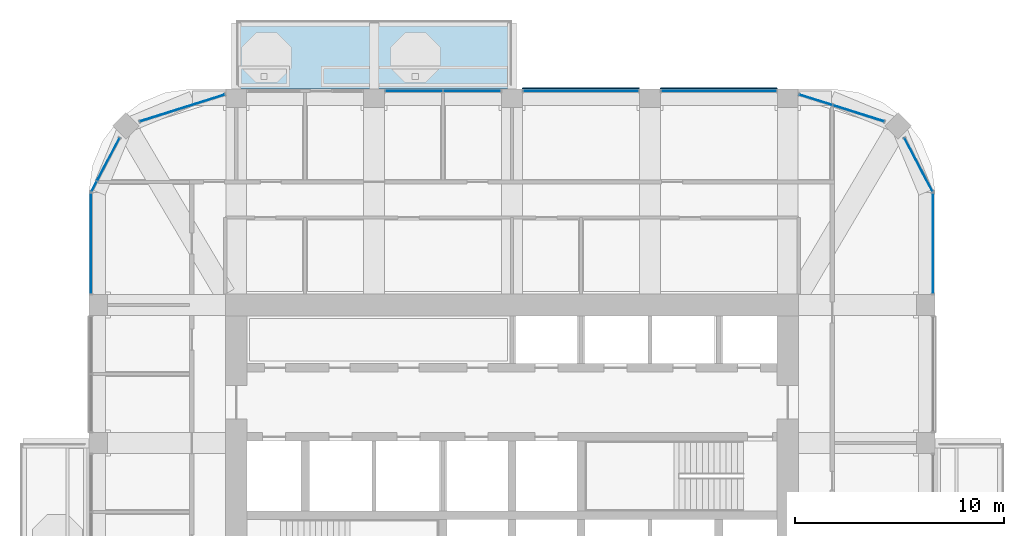
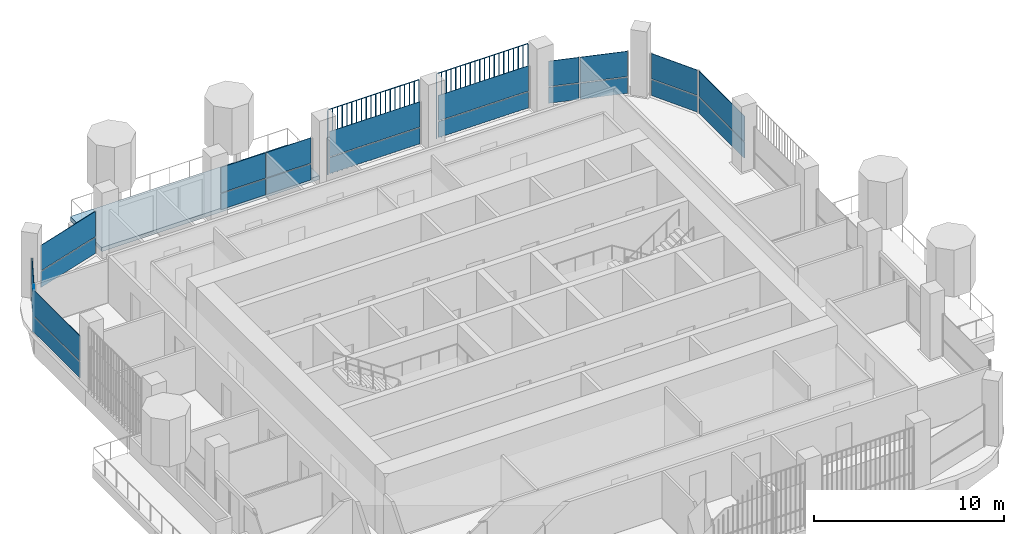
# One storey, part 10 of 18: 26 plates, 1 slab, 9 elements without a shape of their own.
"""IFC4 building model written with IfcOpenShell, lengths in metres."""

from ifc_helpers import new_model, si_unit, direction, frame, origin, origin_2d, place, context, subcontext, project, spatial, polyline, rectangle, outline, extrude, material, layer, layer_set, type_object, element, aggregate, save


model = new_model("IFC4")

# Units and contexts
model_context = context("Model", 3, precision=1e-05, world=origin(), true_north=direction((0.0, 1.0)))
body_context = subcontext(model_context, "Body", "Model", "MODEL_VIEW")
ifc_project = project(units=[si_unit("LENGTHUNIT", "METRE"), si_unit("AREAUNIT", "SQUARE_METRE"), si_unit("VOLUMEUNIT", "CUBIC_METRE"), si_unit("PLANEANGLEUNIT", "RADIAN"), si_unit("MASSUNIT", "GRAM", prefix="KILO")], contexts=[model_context])

# Site, building, storey
site_placement = place(None, origin())
site = spatial("IfcSite", under=ifc_project, at=site_placement, CompositionType="ELEMENT")
building_placement = place(site_placement, origin())
building = spatial("IfcBuilding", under=site, at=building_placement, Name="Cobogo Forest Laboratory Tower", CompositionType="ELEMENT")
storey_placement = place(building_placement, frame((0.0, 0.0, 271.199951171875)))
storey = spatial("IfcBuildingStorey", under=building, at=storey_placement, Name="L62", CompositionType="ELEMENT", Elevation=271.199951171875)

# Slab
ifc_material_1 = material(Name="Concrete HA-40 (C40/50)", Category="concrete")
ifc_layer_1 = layer(ifc_material_1, 0.25)
ifc_layer_set_1 = layer_set([ifc_layer_1], Name="Balcony slab 250")
slab_type = type_object("IfcSlabType", Name="Balcony slab 250", PredefinedType="FLOOR", material=ifc_layer_set_1)
slab_placement = place(storey_placement, frame((0.0, 0.0, -0.25)))
element("IfcSlab", 1, at=slab_placement, inside=storey, type_object=slab_type, Name="Balcony BAL-N1 L62", PredefinedType="FLOOR", context=body_context, shape_type="SweptSolid", body=[
    extrude(outline(polyline([(13.199951171875, 43.35009765625), (26.39990234375, 43.35009765625), (26.39990234375, 46.64990234375), (13.199951171875, 46.64990234375), (13.199951171875, 43.35009765625)])), origin(), (0.0, 0.0, 1.0), 0.25),
])

# Curtain wall, plates
ifc_material_2 = material(Name="Aluminium curtain wall", Category="aluminium")
curtain_wall_type = type_object("IfcCurtainWallType", Name="CW-2 unitised curtain wall, solar control glazing, laboratory floors zones C and D", PredefinedType="USERDEFINED", material=ifc_material_2)
curtain_wall_1_placement = place(storey_placement, origin())
curtain_wall_1 = element("IfcCurtainWall", 2, at=curtain_wall_1_placement, inside=storey, type_object=curtain_wall_type, Name="Curtain wall 11 L62", ObjectType="UNITISED CURTAIN WALL", PredefinedType="USERDEFINED")
ifc_material_3 = material(Name="Solar control insulated glass", Category="glass")
ifc_layer_2 = layer(ifc_material_3, 0.031982421875)
ifc_layer_set_2 = layer_set([ifc_layer_2], Name="GP-2 solar control glass unit 32")
plate_type_1 = type_object("IfcPlateType", Name="GP-2 solar control glass unit 32", PredefinedType="CURTAIN_PANEL", material=ifc_layer_set_2)
plate_1_placement = place(storey_placement, frame((46.550048828125, 35.949951171875, 0.0), z_axis=(0.0, 0.0, 1.0), x_axis=(0.0, 1.0, 0.0)))
plate_1 = element("IfcPlate", 3, at=plate_1_placement, type_object=plate_type_1, Name="CW-2 panel 1.1", PredefinedType="CURTAIN_PANEL", context=body_context, shape_type="SweptSolid", body=[
    extrude(rectangle(XDim=4.780029296875, YDim=0.031982421875, at=origin_2d()), origin(), (0.0, 0.0, 1.0), 1.02001953125),
])
plate_2_placement = place(storey_placement, frame((46.550048828125, 35.949951171875, 1.080078125), z_axis=(0.0, 0.0, 1.0), x_axis=(0.0, 1.0, 0.0)))
plate_2 = element("IfcPlate", 4, at=plate_2_placement, type_object=plate_type_1, Name="CW-2 panel 1.2", PredefinedType="CURTAIN_PANEL", context=body_context, shape_type="SweptSolid", body=[
    extrude(rectangle(XDim=4.780029296875, YDim=0.031982421875, at=origin_2d()), origin(), (0.0, 0.0, 1.0), 1.6201171875),
])
aggregate(curtain_wall_1, [plate_1, plate_2])

curtain_wall_2_placement = place(storey_placement, origin())
curtain_wall_2 = element("IfcCurtainWall", 5, at=curtain_wall_2_placement, inside=storey, type_object=curtain_wall_type, Name="Curtain wall 12 L62", ObjectType="UNITISED CURTAIN WALL", PredefinedType="USERDEFINED")
plate_3_placement = place(storey_placement, frame((45.85693359375, 39.721923828125, 0.0), z_axis=(0.0, 0.0, 1.0), x_axis=(-0.464283778337, 0.885686498245, 0.0)))
plate_3 = element("IfcPlate", 6, at=plate_3_placement, type_object=plate_type_1, Name="CW-2 panel 1.1", PredefinedType="CURTAIN_PANEL", context=body_context, shape_type="SweptSolid", body=[
    extrude(rectangle(XDim=2.864990234375, YDim=0.031982421875, at=origin_2d()), origin(), (0.0, 0.0, 1.0), 1.02001953125),
])
plate_4_placement = place(storey_placement, frame((45.85693359375, 39.721923828125, 1.080078125), z_axis=(0.0, 0.0, 1.0), x_axis=(-0.464283778337, 0.885686498245, 0.0)))
plate_4 = element("IfcPlate", 7, at=plate_4_placement, type_object=plate_type_1, Name="CW-2 panel 1.2", PredefinedType="CURTAIN_PANEL", context=body_context, shape_type="SweptSolid", body=[
    extrude(rectangle(XDim=2.864990234375, YDim=0.031982421875, at=origin_2d()), origin(), (0.0, 0.0, 1.0), 1.6201171875),
])
aggregate(curtain_wall_2, [plate_3, plate_4])

curtain_wall_3_placement = place(storey_placement, origin())
curtain_wall_3 = element("IfcCurtainWall", 8, at=curtain_wall_3_placement, inside=storey, type_object=curtain_wall_type, Name="Curtain wall 13 L62", ObjectType="UNITISED CURTAIN WALL", PredefinedType="USERDEFINED")
plate_5_placement = place(storey_placement, frame((42.989501953125, 42.1796875, 0.0), z_axis=(0.0, 0.0, 1.0), x_axis=(-0.953581379409, 0.301135439371, 0.0)))
plate_5 = element("IfcPlate", 9, at=plate_5_placement, type_object=plate_type_1, Name="CW-2 panel 1.1", PredefinedType="CURTAIN_PANEL", context=body_context, shape_type="SweptSolid", body=[
    extrude(rectangle(XDim=2.541748046875, YDim=0.031982421875, at=origin_2d()), origin(), (0.0, 0.0, 1.0), 1.02001953125),
])
plate_6_placement = place(storey_placement, frame((42.989501953125, 42.1796875, 1.080078125), z_axis=(0.0, 0.0, 1.0), x_axis=(-0.953581379409, 0.301135439371, 0.0)))
plate_6 = element("IfcPlate", 10, at=plate_6_placement, type_object=plate_type_1, Name="CW-2 panel 1.2", PredefinedType="CURTAIN_PANEL", context=body_context, shape_type="SweptSolid", body=[
    extrude(rectangle(XDim=2.541748046875, YDim=0.031982421875, at=origin_2d()), origin(), (0.0, 0.0, 1.0), 1.6201171875),
])
plate_7_placement = place(storey_placement, frame((40.93896484375, 42.8271484375, 0.0), z_axis=(0.0, 0.0, 1.0), x_axis=(-0.953581379409, 0.301135439371, 0.0)))
plate_7 = element("IfcPlate", 11, at=plate_7_placement, type_object=plate_type_1, Name="CW-2 panel 2.1", PredefinedType="CURTAIN_PANEL", context=body_context, shape_type="SweptSolid", body=[
    extrude(rectangle(XDim=1.639404296875, YDim=0.031982421875, at=origin_2d()), origin(), (0.0, 0.0, 1.0), 1.02001953125),
])
plate_8_placement = place(storey_placement, frame((40.93896484375, 42.8271484375, 1.080078125), z_axis=(0.0, 0.0, 1.0), x_axis=(-0.953581379409, 0.301135439371, 0.0)))
plate_8 = element("IfcPlate", 12, at=plate_8_placement, type_object=plate_type_1, Name="CW-2 panel 2.2", PredefinedType="CURTAIN_PANEL", context=body_context, shape_type="SweptSolid", body=[
    extrude(rectangle(XDim=1.639404296875, YDim=0.031982421875, at=origin_2d()), origin(), (0.0, 0.0, 1.0), 1.6201171875),
])
aggregate(curtain_wall_3, [plate_5, plate_6, plate_7, plate_8])

curtain_wall_4_placement = place(storey_placement, origin())
curtain_wall_4 = element("IfcCurtainWall", 13, at=curtain_wall_4_placement, inside=storey, type_object=curtain_wall_type, Name="Curtain wall 14 L62", ObjectType="UNITISED CURTAIN WALL", PredefinedType="USERDEFINED")
plate_9_placement = place(storey_placement, frame((36.300048828125, 43.25, 0.0), z_axis=(0.0, 0.0, 1.0), x_axis=(-1.0, 0.0, 0.0)))
plate_9 = element("IfcPlate", 14, at=plate_9_placement, type_object=plate_type_1, Name="CW-2 panel 1.1", PredefinedType="CURTAIN_PANEL", context=body_context, shape_type="SweptSolid", body=[
    extrude(rectangle(XDim=5.47998046875, YDim=0.031982421875, at=origin_2d()), origin(), (0.0, 0.0, 1.0), 1.02001953125),
])
plate_10_placement = place(storey_placement, frame((36.300048828125, 43.25, 1.080078125), z_axis=(0.0, 0.0, 1.0), x_axis=(-1.0, 0.0, 0.0)))
plate_10 = element("IfcPlate", 15, at=plate_10_placement, type_object=plate_type_1, Name="CW-2 panel 1.2", PredefinedType="CURTAIN_PANEL", context=body_context, shape_type="SweptSolid", body=[
    extrude(rectangle(XDim=5.47998046875, YDim=0.031982421875, at=origin_2d()), origin(), (0.0, 0.0, 1.0), 1.6201171875),
])
aggregate(curtain_wall_4, [plate_9, plate_10])

curtain_wall_5_placement = place(storey_placement, origin())
curtain_wall_5 = element("IfcCurtainWall", 16, at=curtain_wall_5_placement, inside=storey, type_object=curtain_wall_type, Name="Curtain wall 15 L62", ObjectType="UNITISED CURTAIN WALL", PredefinedType="USERDEFINED")
plate_11_placement = place(storey_placement, frame((29.699951171875, 43.25, 0.0), z_axis=(0.0, 0.0, 1.0), x_axis=(-1.0, 0.0, 0.0)))
plate_11 = element("IfcPlate", 17, at=plate_11_placement, type_object=plate_type_1, Name="CW-2 panel 1.1", PredefinedType="CURTAIN_PANEL", context=body_context, shape_type="SweptSolid", body=[
    extrude(rectangle(XDim=5.47998046875, YDim=0.031982421875, at=origin_2d()), origin(), (0.0, 0.0, 1.0), 1.02001953125),
])
plate_12_placement = place(storey_placement, frame((29.699951171875, 43.25, 1.080078125), z_axis=(0.0, 0.0, 1.0), x_axis=(-1.0, 0.0, 0.0)))
plate_12 = element("IfcPlate", 18, at=plate_12_placement, type_object=plate_type_1, Name="CW-2 panel 1.2", PredefinedType="CURTAIN_PANEL", context=body_context, shape_type="SweptSolid", body=[
    extrude(rectangle(XDim=5.47998046875, YDim=0.031982421875, at=origin_2d()), origin(), (0.0, 0.0, 1.0), 1.6201171875),
])
aggregate(curtain_wall_5, [plate_11, plate_12])

curtain_wall_6_placement = place(storey_placement, origin())
curtain_wall_6 = element("IfcCurtainWall", 19, at=curtain_wall_6_placement, inside=storey, type_object=curtain_wall_type, Name="Curtain wall 16 L62", ObjectType="UNITISED CURTAIN WALL", PredefinedType="USERDEFINED")
plate_13_placement = place(storey_placement, frame((24.485107421875, 43.25, 0.0), z_axis=(0.0, 0.0, 1.0), x_axis=(-1.0, 0.0, 0.0)))
plate_13 = element("IfcPlate", 20, at=plate_13_placement, type_object=plate_type_1, Name="CW-2 panel 1.1", PredefinedType="CURTAIN_PANEL", context=body_context, shape_type="SweptSolid", body=[
    extrude(rectangle(XDim=2.7099609375, YDim=0.031982421875, at=origin_2d()), origin(), (0.0, 0.0, 1.0), 1.02001953125),
])
plate_14_placement = place(storey_placement, frame((24.485107421875, 43.25, 1.080078125), z_axis=(0.0, 0.0, 1.0), x_axis=(-1.0, 0.0, 0.0)))
plate_14 = element("IfcPlate", 21, at=plate_14_placement, type_object=plate_type_1, Name="CW-2 panel 1.2", PredefinedType="CURTAIN_PANEL", context=body_context, shape_type="SweptSolid", body=[
    extrude(rectangle(XDim=2.7099609375, YDim=0.031982421875, at=origin_2d()), origin(), (0.0, 0.0, 1.0), 1.6201171875),
])
plate_15_placement = place(storey_placement, frame((21.715087890625, 43.25, 0.0), z_axis=(0.0, 0.0, 1.0), x_axis=(-1.0, 0.0, 0.0)))
plate_15 = element("IfcPlate", 22, at=plate_15_placement, type_object=plate_type_1, Name="CW-2 panel 2.1", PredefinedType="CURTAIN_PANEL", context=body_context, shape_type="SweptSolid", body=[
    extrude(rectangle(XDim=2.7099609375, YDim=0.031982421875, at=origin_2d()), origin(), (0.0, 0.0, 1.0), 1.02001953125),
])
plate_16_placement = place(storey_placement, frame((21.715087890625, 43.25, 1.080078125), z_axis=(0.0, 0.0, 1.0), x_axis=(-1.0, 0.0, 0.0)))
plate_16 = element("IfcPlate", 23, at=plate_16_placement, type_object=plate_type_1, Name="CW-2 panel 2.2", PredefinedType="CURTAIN_PANEL", context=body_context, shape_type="SweptSolid", body=[
    extrude(rectangle(XDim=2.7099609375, YDim=0.031982421875, at=origin_2d()), origin(), (0.0, 0.0, 1.0), 1.6201171875),
])
aggregate(curtain_wall_6, [plate_13, plate_14, plate_15, plate_16])

curtain_wall_7_placement = place(storey_placement, origin())
curtain_wall_7 = element("IfcCurtainWall", 24, at=curtain_wall_7_placement, inside=storey, type_object=curtain_wall_type, Name="Curtain wall 18 L62", ObjectType="UNITISED CURTAIN WALL", PredefinedType="USERDEFINED")
plate_17_placement = place(storey_placement, frame((10.62060546875, 42.435546875, 0.0), z_axis=(0.0, 0.0, 1.0), x_axis=(-0.953581379409, -0.301135439371, 0.0)))
plate_17 = element("IfcPlate", 25, at=plate_17_placement, type_object=plate_type_1, Name="CW-2 panel 1.1", PredefinedType="CURTAIN_PANEL", context=body_context, shape_type="SweptSolid", body=[
    extrude(rectangle(XDim=4.240966796875, YDim=0.031982421875, at=origin_2d()), origin(), (0.0, 0.0, 1.0), 1.02001953125),
])
plate_18_placement = place(storey_placement, frame((10.62060546875, 42.435546875, 1.080078125), z_axis=(0.0, 0.0, 1.0), x_axis=(-0.953581379409, -0.301135439371, 0.0)))
plate_18 = element("IfcPlate", 26, at=plate_18_placement, type_object=plate_type_1, Name="CW-2 panel 1.2", PredefinedType="CURTAIN_PANEL", context=body_context, shape_type="SweptSolid", body=[
    extrude(rectangle(XDim=4.240966796875, YDim=0.031982421875, at=origin_2d()), origin(), (0.0, 0.0, 1.0), 1.6201171875),
])
aggregate(curtain_wall_7, [plate_17, plate_18])

curtain_wall_8_placement = place(storey_placement, origin())
curtain_wall_8 = element("IfcCurtainWall", 27, at=curtain_wall_8_placement, inside=storey, type_object=curtain_wall_type, Name="Curtain wall 19 L62", ObjectType="UNITISED CURTAIN WALL", PredefinedType="USERDEFINED")
plate_19_placement = place(storey_placement, frame((7.076904296875, 39.977294921875, 0.0), z_axis=(0.0, 0.0, 1.0), x_axis=(-0.464283778337, -0.885686498245, 0.0)))
plate_19 = element("IfcPlate", 28, at=plate_19_placement, type_object=plate_type_1, Name="CW-2 panel 1.1", PredefinedType="CURTAIN_PANEL", context=body_context, shape_type="SweptSolid", body=[
    extrude(rectangle(XDim=2.28857421875, YDim=0.031982421875, at=origin_2d()), origin(), (0.0, 0.0, 1.0), 1.02001953125),
])
plate_20_placement = place(storey_placement, frame((7.076904296875, 39.977294921875, 1.080078125), z_axis=(0.0, 0.0, 1.0), x_axis=(-0.464283778337, -0.885686498245, 0.0)))
plate_20 = element("IfcPlate", 29, at=plate_20_placement, type_object=plate_type_1, Name="CW-2 panel 1.2", PredefinedType="CURTAIN_PANEL", context=body_context, shape_type="SweptSolid", body=[
    extrude(rectangle(XDim=2.28857421875, YDim=0.031982421875, at=origin_2d()), origin(), (0.0, 0.0, 1.0), 1.6201171875),
])
plate_21_placement = place(storey_placement, frame((6.397705078125, 38.681884765625, 0.0), z_axis=(0.0, 0.0, 1.0), x_axis=(-0.464283778337, -0.885686498245, 0.0)))
plate_21 = element("IfcPlate", 30, at=plate_21_placement, type_object=plate_type_1, Name="CW-2 panel 2.1", PredefinedType="CURTAIN_PANEL", context=body_context, shape_type="SweptSolid", body=[
    extrude(rectangle(XDim=0.516357421875, YDim=0.031982421875, at=origin_2d()), origin(), (0.0, 0.0, 1.0), 1.02001953125),
])
plate_22_placement = place(storey_placement, frame((6.397705078125, 38.681884765625, 1.080078125), z_axis=(0.0, 0.0, 1.0), x_axis=(-0.464283778337, -0.885686498245, 0.0)))
plate_22 = element("IfcPlate", 31, at=plate_22_placement, type_object=plate_type_1, Name="CW-2 panel 2.2", PredefinedType="CURTAIN_PANEL", context=body_context, shape_type="SweptSolid", body=[
    extrude(rectangle(XDim=0.516357421875, YDim=0.031982421875, at=origin_2d()), origin(), (0.0, 0.0, 1.0), 1.6201171875),
])
aggregate(curtain_wall_8, [plate_19, plate_20, plate_21, plate_22])

curtain_wall_9_placement = place(storey_placement, origin())
curtain_wall_9 = element("IfcCurtainWall", 32, at=curtain_wall_9_placement, inside=storey, type_object=curtain_wall_type, Name="Curtain wall 20 L62", ObjectType="UNITISED CURTAIN WALL", PredefinedType="USERDEFINED")
plate_23_placement = place(storey_placement, frame((6.25, 35.949951171875, 0.0), z_axis=(0.0, 0.0, 1.0), x_axis=(0.0, -1.0, 0.0)))
plate_23 = element("IfcPlate", 33, at=plate_23_placement, type_object=plate_type_1, Name="CW-2 panel 1.1", PredefinedType="CURTAIN_PANEL", context=body_context, shape_type="SweptSolid", body=[
    extrude(rectangle(XDim=4.780029296875, YDim=0.031982421875, at=origin_2d()), origin(), (0.0, 0.0, 1.0), 1.02001953125),
])
plate_24_placement = place(storey_placement, frame((6.25, 35.949951171875, 1.080078125), z_axis=(0.0, 0.0, 1.0), x_axis=(0.0, -1.0, 0.0)))
plate_24 = element("IfcPlate", 34, at=plate_24_placement, type_object=plate_type_1, Name="CW-2 panel 1.2", PredefinedType="CURTAIN_PANEL", context=body_context, shape_type="SweptSolid", body=[
    extrude(rectangle(XDim=4.780029296875, YDim=0.031982421875, at=origin_2d()), origin(), (0.0, 0.0, 1.0), 1.6201171875),
])
aggregate(curtain_wall_9, [plate_23, plate_24])

# Plates
ifc_material_4 = material(Name="Terracotta", Category="masonry")
plate_type_2 = type_object("IfcPlateType", Name="TB1 terracotta baguette screen", PredefinedType="USERDEFINED", material=ifc_material_4)
plate_25_placement = place(storey_placement, frame((26.93115234375, 43.3779296875, -0.14990234375)))
element("IfcPlate", 35, at=plate_25_placement, inside=storey, type_object=plate_type_2, Name="Baguette screen N3 L62", ObjectType="BAGUETTE SCREEN", PredefinedType="USERDEFINED", context=body_context, shape_type="SweptSolid", body=[
    extrude(outline(polyline([(0.02880859375, 0.011962890625), (0.011962890625, 0.02880859375), (-0.011962890625, 0.02880859375), (-0.02880859375, 0.011962890625), (-0.02880859375, -0.011962890625), (-0.011962890625, -0.02880859375), (0.011962890625, -0.02880859375), (0.02880859375, -0.011962890625), (0.02880859375, 0.011962890625)])), frame((0.0, 0.0, 4.168701171875), z_axis=(1.0, 0.0, 0.0), x_axis=(0.0, 1.0, 0.0)), (0.0, 0.0, 1.0), 5.53759765625),
    extrude(outline(polyline([(0.02880859375, 0.011962890625), (0.011962890625, 0.02880859375), (-0.011962890625, 0.02880859375), (-0.02880859375, 0.011962890625), (-0.02880859375, -0.011962890625), (-0.011962890625, -0.02880859375), (0.011962890625, -0.02880859375), (0.02880859375, -0.011962890625), (0.02880859375, 0.011962890625)])), origin(), (0.0, 0.0, 1.0), 4.137451171875),
    extrude(outline(polyline([(0.02880859375, 0.011962890625), (0.011962890625, 0.02880859375), (-0.011962890625, 0.02880859375), (-0.02880859375, 0.011962890625), (-0.02880859375, -0.011962890625), (-0.011962890625, -0.02880859375), (0.011962890625, -0.02880859375), (0.02880859375, -0.011962890625), (0.02880859375, 0.011962890625)])), frame((0.29150390625, 0.0, 0.0)), (0.0, 0.0, 1.0), 4.137451171875),
    extrude(outline(polyline([(0.02880859375, 0.011962890625), (0.011962890625, 0.02880859375), (-0.011962890625, 0.02880859375), (-0.02880859375, 0.011962890625), (-0.02880859375, -0.011962890625), (-0.011962890625, -0.02880859375), (0.011962890625, -0.02880859375), (0.02880859375, -0.011962890625), (0.02880859375, 0.011962890625)])), frame((0.5830078125, 0.0, 0.0)), (0.0, 0.0, 1.0), 4.137451171875),
    extrude(outline(polyline([(0.02880859375, 0.011962890625), (0.011962890625, 0.02880859375), (-0.011962890625, 0.02880859375), (-0.02880859375, 0.011962890625), (-0.02880859375, -0.011962890625), (-0.011962890625, -0.02880859375), (0.011962890625, -0.02880859375), (0.02880859375, -0.011962890625), (0.02880859375, 0.011962890625)])), frame((0.874267578125, 0.0, 0.0)), (0.0, 0.0, 1.0), 4.137451171875),
    extrude(outline(polyline([(0.02880859375, 0.011962890625), (0.011962890625, 0.02880859375), (-0.011962890625, 0.02880859375), (-0.02880859375, 0.011962890625), (-0.02880859375, -0.011962890625), (-0.011962890625, -0.02880859375), (0.011962890625, -0.02880859375), (0.02880859375, -0.011962890625), (0.02880859375, 0.011962890625)])), frame((1.165771484375, 0.0, 0.0)), (0.0, 0.0, 1.0), 4.137451171875),
    extrude(outline(polyline([(0.02880859375, 0.011962890625), (0.011962890625, 0.02880859375), (-0.011962890625, 0.02880859375), (-0.02880859375, 0.011962890625), (-0.02880859375, -0.011962890625), (-0.011962890625, -0.02880859375), (0.011962890625, -0.02880859375), (0.02880859375, -0.011962890625), (0.02880859375, 0.011962890625)])), frame((1.457275390625, 0.0, 0.0)), (0.0, 0.0, 1.0), 4.137451171875),
    extrude(outline(polyline([(0.02880859375, 0.011962890625), (0.011962890625, 0.02880859375), (-0.011962890625, 0.02880859375), (-0.02880859375, 0.011962890625), (-0.02880859375, -0.011962890625), (-0.011962890625, -0.02880859375), (0.011962890625, -0.02880859375), (0.02880859375, -0.011962890625), (0.02880859375, 0.011962890625)])), frame((1.748779296875, 0.0, 0.0)), (0.0, 0.0, 1.0), 4.137451171875),
    extrude(outline(polyline([(0.02880859375, 0.011962890625), (0.011962890625, 0.02880859375), (-0.011962890625, 0.02880859375), (-0.02880859375, 0.011962890625), (-0.02880859375, -0.011962890625), (-0.011962890625, -0.02880859375), (0.011962890625, -0.02880859375), (0.02880859375, -0.011962890625), (0.02880859375, 0.011962890625)])), frame((2.040283203125, 0.0, 0.0)), (0.0, 0.0, 1.0), 4.137451171875),
    extrude(outline(polyline([(0.02880859375, 0.011962890625), (0.011962890625, 0.02880859375), (-0.011962890625, 0.02880859375), (-0.02880859375, 0.011962890625), (-0.02880859375, -0.011962890625), (-0.011962890625, -0.02880859375), (0.011962890625, -0.02880859375), (0.02880859375, -0.011962890625), (0.02880859375, 0.011962890625)])), frame((2.33154296875, 0.0, 0.0)), (0.0, 0.0, 1.0), 4.137451171875),
    extrude(outline(polyline([(0.02880859375, 0.011962890625), (0.011962890625, 0.02880859375), (-0.011962890625, 0.02880859375), (-0.02880859375, 0.011962890625), (-0.02880859375, -0.011962890625), (-0.011962890625, -0.02880859375), (0.011962890625, -0.02880859375), (0.02880859375, -0.011962890625), (0.02880859375, 0.011962890625)])), frame((2.623046875, 0.0, 0.0)), (0.0, 0.0, 1.0), 4.137451171875),
    extrude(outline(polyline([(0.02880859375, 0.011962890625), (0.011962890625, 0.02880859375), (-0.011962890625, 0.02880859375), (-0.02880859375, 0.011962890625), (-0.02880859375, -0.011962890625), (-0.011962890625, -0.02880859375), (0.011962890625, -0.02880859375), (0.02880859375, -0.011962890625), (0.02880859375, 0.011962890625)])), frame((2.91455078125, 0.0, 0.0)), (0.0, 0.0, 1.0), 4.137451171875),
    extrude(outline(polyline([(0.02880859375, 0.011962890625), (0.011962890625, 0.02880859375), (-0.011962890625, 0.02880859375), (-0.02880859375, 0.011962890625), (-0.02880859375, -0.011962890625), (-0.011962890625, -0.02880859375), (0.011962890625, -0.02880859375), (0.02880859375, -0.011962890625), (0.02880859375, 0.011962890625)])), frame((3.2060546875, 0.0, 0.0)), (0.0, 0.0, 1.0), 4.137451171875),
    extrude(outline(polyline([(0.02880859375, 0.011962890625), (0.011962890625, 0.02880859375), (-0.011962890625, 0.02880859375), (-0.02880859375, 0.011962890625), (-0.02880859375, -0.011962890625), (-0.011962890625, -0.02880859375), (0.011962890625, -0.02880859375), (0.02880859375, -0.011962890625), (0.02880859375, 0.011962890625)])), frame((3.497314453125, 0.0, 0.0)), (0.0, 0.0, 1.0), 4.137451171875),
    extrude(outline(polyline([(0.02880859375, 0.011962890625), (0.011962890625, 0.02880859375), (-0.011962890625, 0.02880859375), (-0.02880859375, 0.011962890625), (-0.02880859375, -0.011962890625), (-0.011962890625, -0.02880859375), (0.011962890625, -0.02880859375), (0.02880859375, -0.011962890625), (0.02880859375, 0.011962890625)])), frame((3.788818359375, 0.0, 0.0)), (0.0, 0.0, 1.0), 4.137451171875),
    extrude(outline(polyline([(0.02880859375, 0.011962890625), (0.011962890625, 0.02880859375), (-0.011962890625, 0.02880859375), (-0.02880859375, 0.011962890625), (-0.02880859375, -0.011962890625), (-0.011962890625, -0.02880859375), (0.011962890625, -0.02880859375), (0.02880859375, -0.011962890625), (0.02880859375, 0.011962890625)])), frame((4.080322265625, 0.0, 0.0)), (0.0, 0.0, 1.0), 4.137451171875),
    extrude(outline(polyline([(0.02880859375, 0.011962890625), (0.011962890625, 0.02880859375), (-0.011962890625, 0.02880859375), (-0.02880859375, 0.011962890625), (-0.02880859375, -0.011962890625), (-0.011962890625, -0.02880859375), (0.011962890625, -0.02880859375), (0.02880859375, -0.011962890625), (0.02880859375, 0.011962890625)])), frame((4.371826171875, 0.0, 0.0)), (0.0, 0.0, 1.0), 4.137451171875),
    extrude(outline(polyline([(0.02880859375, 0.011962890625), (0.011962890625, 0.02880859375), (-0.011962890625, 0.02880859375), (-0.02880859375, 0.011962890625), (-0.02880859375, -0.011962890625), (-0.011962890625, -0.02880859375), (0.011962890625, -0.02880859375), (0.02880859375, -0.011962890625), (0.02880859375, 0.011962890625)])), frame((4.663330078125, 0.0, 0.0)), (0.0, 0.0, 1.0), 4.137451171875),
    extrude(outline(polyline([(0.02880859375, 0.011962890625), (0.011962890625, 0.02880859375), (-0.011962890625, 0.02880859375), (-0.02880859375, 0.011962890625), (-0.02880859375, -0.011962890625), (-0.011962890625, -0.02880859375), (0.011962890625, -0.02880859375), (0.02880859375, -0.011962890625), (0.02880859375, 0.011962890625)])), frame((4.95458984375, 0.0, 0.0)), (0.0, 0.0, 1.0), 4.137451171875),
    extrude(outline(polyline([(0.02880859375, 0.011962890625), (0.011962890625, 0.02880859375), (-0.011962890625, 0.02880859375), (-0.02880859375, 0.011962890625), (-0.02880859375, -0.011962890625), (-0.011962890625, -0.02880859375), (0.011962890625, -0.02880859375), (0.02880859375, -0.011962890625), (0.02880859375, 0.011962890625)])), frame((5.24609375, 0.0, 0.0)), (0.0, 0.0, 1.0), 4.137451171875),
    extrude(outline(polyline([(0.02880859375, 0.011962890625), (0.011962890625, 0.02880859375), (-0.011962890625, 0.02880859375), (-0.02880859375, 0.011962890625), (-0.02880859375, -0.011962890625), (-0.011962890625, -0.02880859375), (0.011962890625, -0.02880859375), (0.02880859375, -0.011962890625), (0.02880859375, 0.011962890625)])), frame((5.53759765625, 0.0, 0.0)), (0.0, 0.0, 1.0), 4.137451171875),
])
plate_26_placement = place(storey_placement, frame((33.53125, 43.3779296875, -0.14990234375)))
element("IfcPlate", 36, at=plate_26_placement, inside=storey, type_object=plate_type_2, Name="Baguette screen N4 L62", ObjectType="BAGUETTE SCREEN", PredefinedType="USERDEFINED", context=body_context, shape_type="SweptSolid", body=[
    extrude(outline(polyline([(0.02880859375, 0.011962890625), (0.011962890625, 0.02880859375), (-0.011962890625, 0.02880859375), (-0.02880859375, 0.011962890625), (-0.02880859375, -0.011962890625), (-0.011962890625, -0.02880859375), (0.011962890625, -0.02880859375), (0.02880859375, -0.011962890625), (0.02880859375, 0.011962890625)])), frame((0.0, 0.0, 4.168701171875), z_axis=(1.0, 0.0, 0.0), x_axis=(0.0, 1.0, 0.0)), (0.0, 0.0, 1.0), 5.53759765625),
    extrude(outline(polyline([(0.02880859375, 0.011962890625), (0.011962890625, 0.02880859375), (-0.011962890625, 0.02880859375), (-0.02880859375, 0.011962890625), (-0.02880859375, -0.011962890625), (-0.011962890625, -0.02880859375), (0.011962890625, -0.02880859375), (0.02880859375, -0.011962890625), (0.02880859375, 0.011962890625)])), origin(), (0.0, 0.0, 1.0), 4.137451171875),
    extrude(outline(polyline([(0.02880859375, 0.011962890625), (0.011962890625, 0.02880859375), (-0.011962890625, 0.02880859375), (-0.02880859375, 0.011962890625), (-0.02880859375, -0.011962890625), (-0.011962890625, -0.02880859375), (0.011962890625, -0.02880859375), (0.02880859375, -0.011962890625), (0.02880859375, 0.011962890625)])), frame((0.29150390625, 0.0, 0.0)), (0.0, 0.0, 1.0), 4.137451171875),
    extrude(outline(polyline([(0.02880859375, 0.011962890625), (0.011962890625, 0.02880859375), (-0.011962890625, 0.02880859375), (-0.02880859375, 0.011962890625), (-0.02880859375, -0.011962890625), (-0.011962890625, -0.02880859375), (0.011962890625, -0.02880859375), (0.02880859375, -0.011962890625), (0.02880859375, 0.011962890625)])), frame((0.5830078125, 0.0, 0.0)), (0.0, 0.0, 1.0), 4.137451171875),
    extrude(outline(polyline([(0.02880859375, 0.011962890625), (0.011962890625, 0.02880859375), (-0.011962890625, 0.02880859375), (-0.02880859375, 0.011962890625), (-0.02880859375, -0.011962890625), (-0.011962890625, -0.02880859375), (0.011962890625, -0.02880859375), (0.02880859375, -0.011962890625), (0.02880859375, 0.011962890625)])), frame((0.874267578125, 0.0, 0.0)), (0.0, 0.0, 1.0), 4.137451171875),
    extrude(outline(polyline([(0.02880859375, 0.011962890625), (0.011962890625, 0.02880859375), (-0.011962890625, 0.02880859375), (-0.02880859375, 0.011962890625), (-0.02880859375, -0.011962890625), (-0.011962890625, -0.02880859375), (0.011962890625, -0.02880859375), (0.02880859375, -0.011962890625), (0.02880859375, 0.011962890625)])), frame((1.165771484375, 0.0, 0.0)), (0.0, 0.0, 1.0), 4.137451171875),
    extrude(outline(polyline([(0.02880859375, 0.011962890625), (0.011962890625, 0.02880859375), (-0.011962890625, 0.02880859375), (-0.02880859375, 0.011962890625), (-0.02880859375, -0.011962890625), (-0.011962890625, -0.02880859375), (0.011962890625, -0.02880859375), (0.02880859375, -0.011962890625), (0.02880859375, 0.011962890625)])), frame((1.457275390625, 0.0, 0.0)), (0.0, 0.0, 1.0), 4.137451171875),
    extrude(outline(polyline([(0.02880859375, 0.011962890625), (0.011962890625, 0.02880859375), (-0.011962890625, 0.02880859375), (-0.02880859375, 0.011962890625), (-0.02880859375, -0.011962890625), (-0.011962890625, -0.02880859375), (0.011962890625, -0.02880859375), (0.02880859375, -0.011962890625), (0.02880859375, 0.011962890625)])), frame((1.748779296875, 0.0, 0.0)), (0.0, 0.0, 1.0), 4.137451171875),
    extrude(outline(polyline([(0.02880859375, 0.011962890625), (0.011962890625, 0.02880859375), (-0.011962890625, 0.02880859375), (-0.02880859375, 0.011962890625), (-0.02880859375, -0.011962890625), (-0.011962890625, -0.02880859375), (0.011962890625, -0.02880859375), (0.02880859375, -0.011962890625), (0.02880859375, 0.011962890625)])), frame((2.040283203125, 0.0, 0.0)), (0.0, 0.0, 1.0), 4.137451171875),
    extrude(outline(polyline([(0.02880859375, 0.011962890625), (0.011962890625, 0.02880859375), (-0.011962890625, 0.02880859375), (-0.02880859375, 0.011962890625), (-0.02880859375, -0.011962890625), (-0.011962890625, -0.02880859375), (0.011962890625, -0.02880859375), (0.02880859375, -0.011962890625), (0.02880859375, 0.011962890625)])), frame((2.33154296875, 0.0, 0.0)), (0.0, 0.0, 1.0), 4.137451171875),
    extrude(outline(polyline([(0.02880859375, 0.011962890625), (0.011962890625, 0.02880859375), (-0.011962890625, 0.02880859375), (-0.02880859375, 0.011962890625), (-0.02880859375, -0.011962890625), (-0.011962890625, -0.02880859375), (0.011962890625, -0.02880859375), (0.02880859375, -0.011962890625), (0.02880859375, 0.011962890625)])), frame((2.623046875, 0.0, 0.0)), (0.0, 0.0, 1.0), 4.137451171875),
    extrude(outline(polyline([(0.02880859375, 0.011962890625), (0.011962890625, 0.02880859375), (-0.011962890625, 0.02880859375), (-0.02880859375, 0.011962890625), (-0.02880859375, -0.011962890625), (-0.011962890625, -0.02880859375), (0.011962890625, -0.02880859375), (0.02880859375, -0.011962890625), (0.02880859375, 0.011962890625)])), frame((2.91455078125, 0.0, 0.0)), (0.0, 0.0, 1.0), 4.137451171875),
    extrude(outline(polyline([(0.02880859375, 0.011962890625), (0.011962890625, 0.02880859375), (-0.011962890625, 0.02880859375), (-0.02880859375, 0.011962890625), (-0.02880859375, -0.011962890625), (-0.011962890625, -0.02880859375), (0.011962890625, -0.02880859375), (0.02880859375, -0.011962890625), (0.02880859375, 0.011962890625)])), frame((3.2060546875, 0.0, 0.0)), (0.0, 0.0, 1.0), 4.137451171875),
    extrude(outline(polyline([(0.02880859375, 0.011962890625), (0.011962890625, 0.02880859375), (-0.011962890625, 0.02880859375), (-0.02880859375, 0.011962890625), (-0.02880859375, -0.011962890625), (-0.011962890625, -0.02880859375), (0.011962890625, -0.02880859375), (0.02880859375, -0.011962890625), (0.02880859375, 0.011962890625)])), frame((3.497314453125, 0.0, 0.0)), (0.0, 0.0, 1.0), 4.137451171875),
    extrude(outline(polyline([(0.02880859375, 0.011962890625), (0.011962890625, 0.02880859375), (-0.011962890625, 0.02880859375), (-0.02880859375, 0.011962890625), (-0.02880859375, -0.011962890625), (-0.011962890625, -0.02880859375), (0.011962890625, -0.02880859375), (0.02880859375, -0.011962890625), (0.02880859375, 0.011962890625)])), frame((3.788818359375, 0.0, 0.0)), (0.0, 0.0, 1.0), 4.137451171875),
    extrude(outline(polyline([(0.02880859375, 0.011962890625), (0.011962890625, 0.02880859375), (-0.011962890625, 0.02880859375), (-0.02880859375, 0.011962890625), (-0.02880859375, -0.011962890625), (-0.011962890625, -0.02880859375), (0.011962890625, -0.02880859375), (0.02880859375, -0.011962890625), (0.02880859375, 0.011962890625)])), frame((4.080322265625, 0.0, 0.0)), (0.0, 0.0, 1.0), 4.137451171875),
    extrude(outline(polyline([(0.02880859375, 0.011962890625), (0.011962890625, 0.02880859375), (-0.011962890625, 0.02880859375), (-0.02880859375, 0.011962890625), (-0.02880859375, -0.011962890625), (-0.011962890625, -0.02880859375), (0.011962890625, -0.02880859375), (0.02880859375, -0.011962890625), (0.02880859375, 0.011962890625)])), frame((4.371826171875, 0.0, 0.0)), (0.0, 0.0, 1.0), 4.137451171875),
    extrude(outline(polyline([(0.02880859375, 0.011962890625), (0.011962890625, 0.02880859375), (-0.011962890625, 0.02880859375), (-0.02880859375, 0.011962890625), (-0.02880859375, -0.011962890625), (-0.011962890625, -0.02880859375), (0.011962890625, -0.02880859375), (0.02880859375, -0.011962890625), (0.02880859375, 0.011962890625)])), frame((4.663330078125, 0.0, 0.0)), (0.0, 0.0, 1.0), 4.137451171875),
    extrude(outline(polyline([(0.02880859375, 0.011962890625), (0.011962890625, 0.02880859375), (-0.011962890625, 0.02880859375), (-0.02880859375, 0.011962890625), (-0.02880859375, -0.011962890625), (-0.011962890625, -0.02880859375), (0.011962890625, -0.02880859375), (0.02880859375, -0.011962890625), (0.02880859375, 0.011962890625)])), frame((4.95458984375, 0.0, 0.0)), (0.0, 0.0, 1.0), 4.137451171875),
    extrude(outline(polyline([(0.02880859375, 0.011962890625), (0.011962890625, 0.02880859375), (-0.011962890625, 0.02880859375), (-0.02880859375, 0.011962890625), (-0.02880859375, -0.011962890625), (-0.011962890625, -0.02880859375), (0.011962890625, -0.02880859375), (0.02880859375, -0.011962890625), (0.02880859375, 0.011962890625)])), frame((5.24609375, 0.0, 0.0)), (0.0, 0.0, 1.0), 4.137451171875),
    extrude(outline(polyline([(0.02880859375, 0.011962890625), (0.011962890625, 0.02880859375), (-0.011962890625, 0.02880859375), (-0.02880859375, 0.011962890625), (-0.02880859375, -0.011962890625), (-0.011962890625, -0.02880859375), (0.011962890625, -0.02880859375), (0.02880859375, -0.011962890625), (0.02880859375, 0.011962890625)])), frame((5.53759765625, 0.0, 0.0)), (0.0, 0.0, 1.0), 4.137451171875),
])

save(model, "model.ifc")
